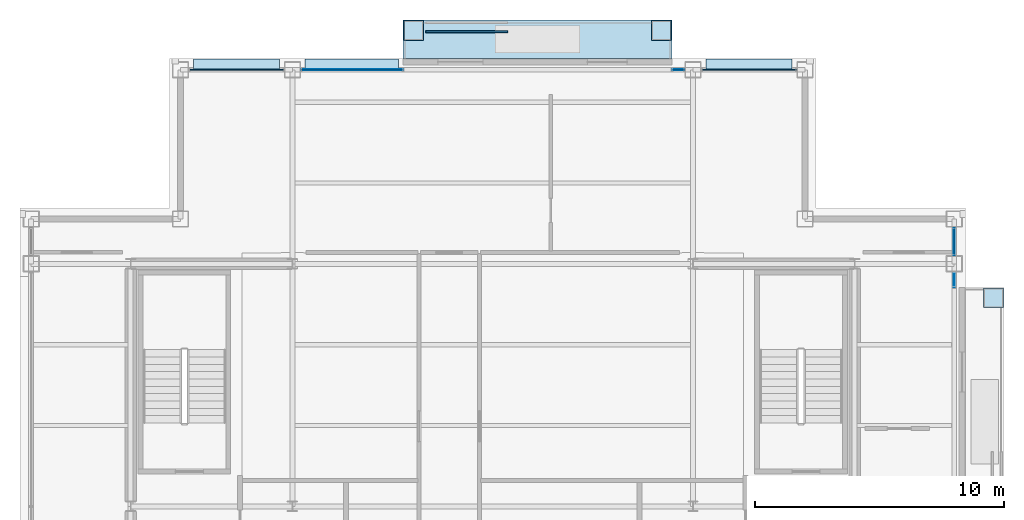
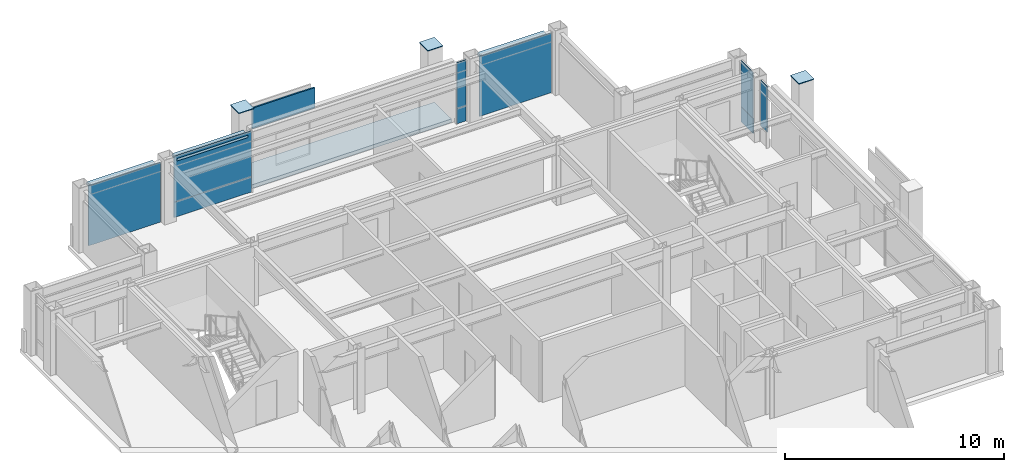
# One storey, part 18 of 24: 16 plates, 1 slab, 6 elements without a shape of their own.
"""IFC4 building model written with IfcOpenShell, lengths in metres."""

import ifcopenshell
import ifcopenshell.guid

model = None  # the IFC model being written
_history = None  # IfcOwnerHistory: only IFC2X3 demands one
_inside = {}  # id of a spatial element -> (the spatial element, [elements in it])
_under = {}  # id of a project, library or spatial element -> (it, [spatial elements below it])
_declared = {}  # id of a project -> (the project, [libraries it declares])
_typed = {}  # id of a type object -> (the type object, [elements of that type])
_made_of = {}  # id of a material, layer set ... -> (it, [elements and type objects made of it])


def new_model(schema):
    """Start an empty IFC model of exactly this schema.

    Asked for "IFC4X3", IfcOpenShell would pick the latest addendum, in which some entities
    have other attributes; the version numbers below select the first issue.
    IFC2X3 requires an IfcOwnerHistory on every rooted entity: one is made here for all.
    """
    global model, _history
    if schema == "IFC4X3":
        model = ifcopenshell.file(schema_version=(4, 3, 0, 0))
    else:
        model = ifcopenshell.file(schema=schema)
    _inside.clear()
    _under.clear()
    _declared.clear()
    _typed.clear()
    _made_of.clear()
    _history = None
    if model.schema == "IFC2X3":
        org = make("IfcOrganization", Name="unknown")
        user = make(
            "IfcPersonAndOrganization",
            ThePerson=make("IfcPerson", FamilyName="unknown"),
            TheOrganization=org,
        )
        app = make(
            "IfcApplication",
            ApplicationDeveloper=org,
            Version="unknown",
            ApplicationFullName="unknown",
            ApplicationIdentifier="unknown",
        )
        _history = make(
            "IfcOwnerHistory",
            OwningUser=user,
            OwningApplication=app,
            ChangeAction="ADDED",
            CreationDate=0,
        )
    return model


def make(cls, **values):
    """One entity of the class cls with the attributes given. An attribute that is None is left unset."""
    return model.create_entity(
        cls, **{name: value for name, value in values.items() if value is not None}
    )


def rooted(cls, **values):
    """An entity with a GlobalId (a new one), such as an element, a storey or a relation."""
    return make(cls, GlobalId=ifcopenshell.guid.new(), OwnerHistory=_history, **values)


def si_unit(unit_type, name, prefix=None):
    """IfcSIUnit, for example si_unit("LENGTHUNIT", "METRE", prefix="MILLI")."""
    return make("IfcSIUnit", UnitType=unit_type, Prefix=prefix, Name=name)


def assignment(units):
    """IfcUnitAssignment: the units of a project."""
    return None if units is None else make("IfcUnitAssignment", Units=units)


def point(xyz):
    """IfcCartesianPoint."""
    return None if xyz is None else make("IfcCartesianPoint", Coordinates=xyz)


def direction(xyz):
    """IfcDirection."""
    return None if xyz is None else make("IfcDirection", DirectionRatios=xyz)


def frame(location, z_axis=None, x_axis=None):
    """IfcAxis2Placement3D, a coordinate frame: its origin and axes. An axis left out is left unset."""
    return make(
        "IfcAxis2Placement3D",
        Location=point(location),
        Axis=direction(z_axis),
        RefDirection=direction(x_axis),
    )


def frame_2d(location, x_axis=None):
    """IfcAxis2Placement2D, a coordinate frame in the plane: its origin and x axis."""
    return make(
        "IfcAxis2Placement2D", Location=point(location), RefDirection=direction(x_axis)
    )


def origin():
    """The frame at (0, 0, 0) with its axes left unset."""
    return frame((0.0, 0.0, 0.0))


def origin_2d():
    """The frame at (0, 0) in the plane with its x axis left unset."""
    return frame_2d((0.0, 0.0))


def place(relative_to, where):
    """IfcLocalPlacement: puts the frame where relative to a parent placement (None: the world)."""
    return make(
        "IfcLocalPlacement", PlacementRelTo=relative_to, RelativePlacement=where
    )


def context(
    kind, dimensions, precision=None, world=None, true_north=None, identifier=None
):
    """IfcGeometricRepresentationContext, for example the 3D "Model" context."""
    return make(
        "IfcGeometricRepresentationContext",
        ContextIdentifier=identifier,
        ContextType=kind,
        CoordinateSpaceDimension=dimensions,
        Precision=precision,
        WorldCoordinateSystem=world,
        TrueNorth=true_north,
    )


def subcontext(parent, identifier, kind, view, scale=None):
    """IfcGeometricRepresentationSubContext, for example "Body" below "Model"."""
    return make(
        "IfcGeometricRepresentationSubContext",
        ContextIdentifier=identifier,
        ContextType=kind,
        ParentContext=parent,
        TargetScale=scale,
        TargetView=view,
    )


def project(units=None, contexts=None):
    """IfcProject with its units and contexts."""
    return rooted(
        "IfcProject",
        Name="project",
        RepresentationContexts=contexts,
        UnitsInContext=assignment(units),
    )


def spatial(cls, under=None, at=None, **own):
    """A site, building, storey or space (cls), placed at a placement, below another one or the project."""
    s = rooted(cls, ObjectPlacement=at, **own)
    if under is not None:
        _under.setdefault(under.id(), (under, []))[1].append(s)
    return s


def polyline(points):
    """IfcPolyline through the points."""
    return make("IfcPolyline", Points=[point(p) for p in points])


def profile(cls, at=None, kind="AREA", **sizes):
    """A parametric profile (cls). Its sizes go by their IFC names, for example OverallWidth=200.0."""
    return make(cls, ProfileType=kind, Position=at, **sizes)


def rectangle(**sizes):
    """IfcRectangleProfileDef."""
    return profile("IfcRectangleProfileDef", **sizes)


def outline(outer, holes=None, kind="AREA"):
    """IfcArbitraryClosedProfileDef: a profile drawn as a closed curve; with holes, ...WithVoids."""
    if holes is None:
        return make("IfcArbitraryClosedProfileDef", ProfileType=kind, OuterCurve=outer)
    return make(
        "IfcArbitraryProfileDefWithVoids",
        ProfileType=kind,
        OuterCurve=outer,
        InnerCurves=holes,
    )


def extrude(swept, where, along, depth):
    """IfcExtrudedAreaSolid: the profile swept, set in the frame where, extruded along a direction by depth."""
    return make(
        "IfcExtrudedAreaSolid",
        SweptArea=swept,
        Position=where,
        ExtrudedDirection=direction(along),
        Depth=depth,
    )


def shape(context_of_items, identifier, shape_type, items):
    """IfcShapeRepresentation: the items that make up one representation, for example the "Body"."""
    return make(
        "IfcShapeRepresentation",
        ContextOfItems=context_of_items,
        RepresentationIdentifier=identifier,
        RepresentationType=shape_type,
        Items=items,
    )


def material(Name=None, Category=None):
    """IfcMaterial."""
    return make("IfcMaterial", Name=Name, Category=Category)


def layer(
    of_material, thickness, ventilated=None, Name=None, Category=None, Priority=None
):
    """IfcMaterialLayer: one layer of a wall or slab, of a material (None: an air gap)."""
    return make(
        "IfcMaterialLayer",
        Material=of_material,
        LayerThickness=thickness,
        IsVentilated=ventilated,
        Name=Name,
        Category=Category,
        Priority=Priority,
    )


def layer_set(layers, Name=None):
    """IfcMaterialLayerSet."""
    return make("IfcMaterialLayerSet", MaterialLayers=layers, LayerSetName=Name)


def made_of(thing, what):
    """Note that an element or type object is made of a material, layer set ...; save() writes the relation."""
    if what is not None:
        _made_of.setdefault(what.id(), (what, []))[1].append(thing)
    return thing


def type_object(cls, material=None, **own):
    """A type object (cls), such as IfcWallType, which elements share."""
    return made_of(rooted(cls, **own), material)


def element(
    cls,
    number,
    at=None,
    inside=None,
    cuts=None,
    type_object=None,
    material=None,
    context=None,
    identifier="Body",
    shape_type=None,
    held_by="IfcProductDefinitionShape",
    body=None,
    shapes=None,
    **own,
):
    """One element of the class cls, such as IfcWall. Its Tag is "e" and its number.

    at: its placement. inside: the storey or other place that contains it. cuts: it is an
    opening in that element (IfcRelVoidsElement). A single representation is given by context,
    identifier, shape_type and body (its items); several are given by shapes. held_by: the class
    of the entity that holds the representations. save() writes the other relations.
    """
    e = rooted(cls, Tag="e%d" % number, ObjectPlacement=at, **own)
    if body is not None:
        shapes = [shape(context, identifier, shape_type, body)]
    if shapes is not None:
        e.Representation = make(held_by, Representations=shapes)
    if inside is not None:
        _inside.setdefault(inside.id(), (inside, []))[1].append(e)
    if cuts is not None:
        rooted(
            "IfcRelVoidsElement", RelatingBuildingElement=cuts, RelatedOpeningElement=e
        )
    if type_object is not None:
        _typed.setdefault(type_object.id(), (type_object, []))[1].append(e)
    return made_of(e, material)


def aggregate(whole, parts):
    """IfcRelAggregates: a whole, such as a stair, and the parts it consists of."""
    return rooted("IfcRelAggregates", RelatingObject=whole, RelatedObjects=parts)


def save(model, path):
    """Write the relations noted so far, then the file.

    IfcRelAggregates (storeys below a building ...), IfcRelContainedInSpatialStructure (elements
    in a storey), IfcRelDefinesByType, IfcRelAssociatesMaterial and IfcRelDeclares: one each for
    every whole, place, type object, material and project.
    """
    for whole, parts in _under.values():
        aggregate(whole, parts)
    for where, things in _inside.values():
        rooted(
            "IfcRelContainedInSpatialStructure",
            RelatedElements=things,
            RelatingStructure=where,
        )
    for kind, things in _typed.values():
        rooted("IfcRelDefinesByType", RelatedObjects=things, RelatingType=kind)
    for what, things in _made_of.values():
        rooted("IfcRelAssociatesMaterial", RelatedObjects=things, RelatingMaterial=what)
    for by, libraries in _declared.values():
        rooted("IfcRelDeclares", RelatingContext=by, RelatedDefinitions=libraries)
    model.write(path)


model = new_model("IFC4")

# Units and contexts
model_context = context("Model", 3, precision=1e-05, world=origin(), true_north=direction((0.0, 1.0)))
body_context = subcontext(model_context, "Body", "Model", "MODEL_VIEW")
ifc_project = project(units=[si_unit("LENGTHUNIT", "METRE"), si_unit("AREAUNIT", "SQUARE_METRE"), si_unit("VOLUMEUNIT", "CUBIC_METRE"), si_unit("PLANEANGLEUNIT", "RADIAN"), si_unit("MASSUNIT", "GRAM", prefix="KILO")], contexts=[model_context])

# Site, building, storey
site_placement = place(None, origin())
site = spatial("IfcSite", under=ifc_project, at=site_placement, CompositionType="ELEMENT")
building_placement = place(site_placement, origin())
building = spatial("IfcBuilding", under=site, at=building_placement, Name="Brelmoor Portico Tower", CompositionType="ELEMENT")
storey_placement = place(building_placement, frame((0.0, 0.0, 232.800048828125)))
storey = spatial("IfcBuildingStorey", under=building, at=storey_placement, Name="L61", CompositionType="ELEMENT", Elevation=232.800048828125)

# Plates
ifc_material_1 = material(Name="Steel Q355B", Category="steel")
ifc_layer_1 = layer(ifc_material_1, 0.044921875)
ifc_layer_set_1 = layer_set([ifc_layer_1], Name="Steel Q355B")
plate_type_1 = type_object("IfcPlateType", Name="PT-CAP-650", PredefinedType="SHEET", material=ifc_layer_set_1)
for number, where, z_axis, x_axis, name in (
    (1, (-3.179931640625, 19.1298828125, 3.599853515625), (0.0, 0.0, 1.0), (1.0, 0.0, 0.0), "L61 Proud Picture-Frame Pier PFJ-N1 Welded Head Cap Plate"),
    (2, (6.780029296875, 19.1298828125, 3.599853515625), (0.0, 0.0, 1.0), (1.0, 0.0, 0.0), "L61 Proud Picture-Frame Pier PFJ-N2 Welded Head Cap Plate"),
    (3, (20.1298828125, 8.3798828125, 3.599853515625), (0.0, 0.0, 1.0), (0.0, 1.0, 0.0), "L61 Proud Picture-Frame Pier PFJ-E2 Welded Head Cap Plate"),
):
    element("IfcPlate", number, at=place(storey_placement, frame(where, z_axis=z_axis, x_axis=x_axis)), inside=storey, type_object=plate_type_1, Name=name, PredefinedType="SHEET", context=body_context, shape_type="SweptSolid", body=[
        extrude(rectangle(XDim=0.7900390625, YDim=0.7900390625, at=origin_2d()), origin(), (0.0, 0.0, 1.0), 0.0400390625),
    ])

# Curtain wall, plate
ifc_material_2 = material(Name="Anodised Aluminium Alloy 6063-T6", Category="aluminium")
ifc_layer_2 = layer(ifc_material_2, 0.179931640625)
ifc_layer_set_2 = layer_set([ifc_layer_2], Name="Anodised Aluminium Alloy 6063-T6")
curtain_wall_type_1 = type_object("IfcCurtainWallType", Name="CW-TOWER-Z4", PredefinedType="NOTDEFINED", material=ifc_layer_set_2)
curtain_wall_1_placement = place(storey_placement, origin())
curtain_wall_1 = element("IfcCurtainWall", 4, at=curtain_wall_1_placement, inside=storey, type_object=curtain_wall_type_1, Name="L61 Curtain Wall CW-L61-2L-2", PredefinedType="NOTDEFINED")
ifc_material_3 = material(Name="Double-Silver Low-E Insulated Glazing", Category="glass")
ifc_layer_3 = layer(ifc_material_3, 0.035888671875)
ifc_layer_set_3 = layer_set([ifc_layer_3], Name="Double-Silver Low-E Insulated Glazing")
plate_type_2 = type_object("IfcPlateType", Name="PT-CW-GLASS", PredefinedType="CURTAIN_PANEL", material=ifc_layer_set_3)
plate_1_placement = place(storey_placement, frame((-5.657470703125, 17.550048828125, 0.85009765625), z_axis=(0.0, 0.0, 1.0), x_axis=(1.0, 0.0, 0.0)))
plate_1 = element("IfcPlate", 5, at=plate_1_placement, type_object=plate_type_2, Name="CW-L61-2L-2 Vision Glass Panel 00", PredefinedType="CURTAIN_PANEL", context=body_context, shape_type="SweptSolid", body=[
    extrude(rectangle(XDim=4.0849609375, YDim=0.035888671875, at=origin_2d()), origin(), (0.0, 0.0, 1.0), 2.550048828125),
])

curtain_wall_2_placement = place(storey_placement, origin())
curtain_wall_2 = element("IfcCurtainWall", 6, at=curtain_wall_2_placement, inside=storey, type_object=curtain_wall_type_1, Name="L61 Curtain Wall CW-L61-2R-1", PredefinedType="NOTDEFINED")
plate_2_placement = place(storey_placement, frame((7.45751953125, 17.550048828125, 0.85009765625), z_axis=(0.0, 0.0, 1.0), x_axis=(1.0, 0.0, 0.0)))
plate_2 = element("IfcPlate", 7, at=plate_2_placement, type_object=plate_type_2, Name="CW-L61-2R-1 Vision Glass Panel 00", PredefinedType="CURTAIN_PANEL", context=body_context, shape_type="SweptSolid", body=[
    extrude(rectangle(XDim=0.485107421875, YDim=0.035888671875, at=origin_2d()), origin(), (0.0, 0.0, 1.0), 2.550048828125),
])

curtain_wall_3_placement = place(storey_placement, origin())
curtain_wall_3 = element("IfcCurtainWall", 8, at=curtain_wall_3_placement, inside=storey, type_object=curtain_wall_type_1, Name="L61 Curtain Wall CW-L61-4R-1", PredefinedType="NOTDEFINED")
plate_3_placement = place(storey_placement, frame((18.550048828125, 9.107421875, 0.85009765625), z_axis=(0.0, 0.0, 1.0), x_axis=(0.0, 1.0, 0.0)))
plate_3 = element("IfcPlate", 9, at=plate_3_placement, type_object=plate_type_2, Name="CW-L61-4R-1 Vision Glass Panel 00", PredefinedType="CURTAIN_PANEL", context=body_context, shape_type="SweptSolid", body=[
    extrude(rectangle(XDim=0.5849609375, YDim=0.035888671875, at=origin_2d()), origin(), (0.0, 0.0, 1.0), 2.550048828125),
])
aggregate(curtain_wall_3, [plate_3])

curtain_wall_4_placement = place(storey_placement, origin())
curtain_wall_4 = element("IfcCurtainWall", 10, at=curtain_wall_4_placement, inside=storey, type_object=curtain_wall_type_1, Name="L61 Curtain Wall CW-L61-4R-2", PredefinedType="NOTDEFINED")
plate_4_placement = place(storey_placement, frame((18.550048828125, 10.64990234375, 0.85009765625), z_axis=(0.0, 0.0, 1.0), x_axis=(0.0, 1.0, 0.0)))
plate_4 = element("IfcPlate", 11, at=plate_4_placement, type_object=plate_type_2, Name="CW-L61-4R-2 Vision Glass Panel 00", PredefinedType="CURTAIN_PANEL", context=body_context, shape_type="SweptSolid", body=[
    extrude(rectangle(XDim=1.10009765625, YDim=0.035888671875, at=origin_2d()), origin(), (0.0, 0.0, 1.0), 2.550048828125),
])

ifc_layer_4 = layer(ifc_material_2, 0.179931640625)
ifc_layer_set_4 = layer_set([ifc_layer_4], Name="Anodised Aluminium Alloy 6063-T6")
curtain_wall_type_2 = type_object("IfcCurtainWallType", Name="CW-TOWER-Z4-XB", PredefinedType="NOTDEFINED", material=ifc_layer_set_4)
curtain_wall_5_placement = place(storey_placement, origin())
curtain_wall_5 = element("IfcCurtainWall", 12, at=curtain_wall_5_placement, inside=storey, type_object=curtain_wall_type_2, Name="L61 Curtain Wall CW-L61-2L-1", PredefinedType="NOTDEFINED")
ifc_material_4 = material(Name="Pale Champagne Anodised Aluminium Panel", Category="aluminium")
ifc_layer_5 = layer(ifc_material_4, 0.050048828125)
ifc_layer_set_5 = layer_set([ifc_layer_5], Name="Pale Champagne Anodised Aluminium Panel")
plate_type_3 = type_object("IfcPlateType", Name="PT-CW-SPANDREL", PredefinedType="SHEET", material=ifc_layer_set_5)
plate_5_placement = place(storey_placement, frame((-10.300048828125, 17.550048828125, 0.0), z_axis=(0.0, 0.0, 1.0), x_axis=(1.0, 0.0, 0.0)))
plate_5 = element("IfcPlate", 13, at=plate_5_placement, type_object=plate_type_3, Name="CW-L61-2L-1 Spandrel Panel 00", PredefinedType="SHEET", context=body_context, shape_type="SweptSolid", body=[
    extrude(rectangle(XDim=3.800048828125, YDim=0.050048828125, at=origin_2d()), origin(), (0.0, 0.0, 1.0), 3.33740234375),
])
aggregate(curtain_wall_5, [plate_5])

# Plate
plate_6_placement = place(storey_placement, frame((-5.657470703125, 17.550048828125, 0.0), z_axis=(0.0, 0.0, 1.0), x_axis=(1.0, 0.0, 0.0)))
plate_6 = element("IfcPlate", 14, at=plate_6_placement, type_object=plate_type_3, Name="CW-L61-2L-2 Spandrel Panel 00", PredefinedType="SHEET", context=body_context, shape_type="SweptSolid", body=[
    extrude(rectangle(XDim=4.0849609375, YDim=0.050048828125, at=origin_2d()), origin(), (0.0, 0.0, 1.0), 0.85009765625),
])

aggregate(curtain_wall_1, [plate_6, plate_1])

plate_7_placement = place(storey_placement, frame((7.45751953125, 17.550048828125, 0.0), z_axis=(0.0, 0.0, 1.0), x_axis=(1.0, 0.0, 0.0)))
plate_7 = element("IfcPlate", 15, at=plate_7_placement, type_object=plate_type_3, Name="CW-L61-2R-1 Spandrel Panel 00", PredefinedType="SHEET", context=body_context, shape_type="SweptSolid", body=[
    extrude(rectangle(XDim=0.485107421875, YDim=0.050048828125, at=origin_2d()), origin(), (0.0, 0.0, 1.0), 0.85009765625),
])

aggregate(curtain_wall_2, [plate_7, plate_2])

# Curtain wall, plate
curtain_wall_6_placement = place(storey_placement, origin())
curtain_wall_6 = element("IfcCurtainWall", 16, at=curtain_wall_6_placement, inside=storey, type_object=curtain_wall_type_2, Name="L61 Curtain Wall CW-L61-2R-2", PredefinedType="NOTDEFINED")
plate_8_placement = place(storey_placement, frame((10.300048828125, 17.550048828125, 0.0), z_axis=(0.0, 0.0, 1.0), x_axis=(1.0, 0.0, 0.0)))
plate_8 = element("IfcPlate", 17, at=plate_8_placement, type_object=plate_type_3, Name="CW-L61-2R-2 Spandrel Panel 00", PredefinedType="SHEET", context=body_context, shape_type="SweptSolid", body=[
    extrude(rectangle(XDim=3.800048828125, YDim=0.050048828125, at=origin_2d()), origin(), (0.0, 0.0, 1.0), 3.33740234375),
])
aggregate(curtain_wall_6, [plate_8])

# Plate
plate_9_placement = place(storey_placement, frame((18.550048828125, 10.64990234375, 0.0), z_axis=(0.0, 0.0, 1.0), x_axis=(0.0, 1.0, 0.0)))
plate_9 = element("IfcPlate", 18, at=plate_9_placement, type_object=plate_type_3, Name="CW-L61-4R-2 Spandrel Panel 00", PredefinedType="SHEET", context=body_context, shape_type="SweptSolid", body=[
    extrude(rectangle(XDim=1.10009765625, YDim=0.050048828125, at=origin_2d()), origin(), (0.0, 0.0, 1.0), 0.85009765625),
])

aggregate(curtain_wall_4, [plate_9, plate_4])

# Plates
ifc_material_5 = material(Name="Powder-Coated Aluminium Shuttered Jalousie Louvre", Category="aluminium")
ifc_layer_6 = layer(ifc_material_5, 0.06005859375)
ifc_layer_set_6 = layer_set([ifc_layer_6], Name="Powder-Coated Aluminium Shuttered Jalousie Louvre")
plate_type_4 = type_object("IfcPlateType", Name="PT-JALOUSIE-SHUTTER", PredefinedType="SHEET", material=ifc_layer_set_6)
plate_10_placement = place(storey_placement, frame((-1.050048828125, 19.080078125, 2.27490234375), z_axis=(0.0, 0.0, 1.0), x_axis=(1.0, 0.0, 0.0)))
element("IfcPlate", 19, at=plate_10_placement, inside=storey, type_object=plate_type_4, Name="L61 Shuttered Veranda Screen N", PredefinedType="SHEET", context=body_context, shape_type="SweptSolid", body=[
    extrude(rectangle(XDim=3.300048828125, YDim=0.080078125, at=origin_2d()), origin(), (0.0, 0.0, 1.0), 1.14990234375),
])
ifc_material_6 = material(Name="Pale Champagne Perforated Aluminium Solar Screen", Category="aluminium")
ifc_layer_7 = layer(ifc_material_6, 0.054931640625)
ifc_layer_set_7 = layer_set([ifc_layer_7], Name="Pale Champagne Perforated Aluminium Solar Screen")
plate_type_5 = type_object("IfcPlateType", Name="PT-SOLAR-LOUVRE", PredefinedType="SHEET", material=ifc_layer_set_7)
plate_11_placement = place(storey_placement, frame((-10.300048828125, 17.760009765625, 3.08984375), z_axis=(0.0, 0.0, 1.0), x_axis=(1.0, 0.0, 0.0)))
element("IfcPlate", 20, at=plate_11_placement, inside=storey, type_object=plate_type_5, Name="CW-L61-2L-1 Caribbean Brise-Soleil Solar Screen", PredefinedType="SHEET", context=body_context, shape_type="SweptSolid", body=[
    extrude(rectangle(XDim=3.469970703125, YDim=0.4599609375, at=origin_2d()), origin(), (0.0, 0.0, 1.0), 0.139892578125),
])
plate_12_placement = place(storey_placement, frame((-5.657470703125, 17.760009765625, 3.08984375), z_axis=(0.0, 0.0, 1.0), x_axis=(1.0, 0.0, 0.0)))
element("IfcPlate", 21, at=plate_12_placement, inside=storey, type_object=plate_type_5, Name="CW-L61-2L-2 Caribbean Brise-Soleil Solar Screen", PredefinedType="SHEET", context=body_context, shape_type="SweptSolid", body=[
    extrude(rectangle(XDim=3.7548828125, YDim=0.4599609375, at=origin_2d()), origin(), (0.0, 0.0, 1.0), 0.139892578125),
])
plate_13_placement = place(storey_placement, frame((10.300048828125, 17.760009765625, 3.08984375), z_axis=(0.0, 0.0, 1.0), x_axis=(1.0, 0.0, 0.0)))
element("IfcPlate", 22, at=plate_13_placement, inside=storey, type_object=plate_type_5, Name="CW-L61-2R-2 Caribbean Brise-Soleil Solar Screen", PredefinedType="SHEET", context=body_context, shape_type="SweptSolid", body=[
    extrude(rectangle(XDim=3.469970703125, YDim=0.4599609375, at=origin_2d()), origin(), (0.0, 0.0, 1.0), 0.139892578125),
])

# Slab
ifc_material_7 = material(Name="Concrete C40", Category="concrete")
ifc_layer_8 = layer(ifc_material_7, 0.199951171875)
ifc_layer_set_8 = layer_set([ifc_layer_8], Name="Concrete C40")
slab_type = type_object("IfcSlabType", Name="SL-BALCONY-200", PredefinedType="FLOOR", material=ifc_layer_set_8)
slab_placement = place(storey_placement, frame((0.0, 0.0, -0.199951171875)))
element("IfcSlab", 23, at=slab_placement, inside=storey, type_object=slab_type, Name="L61 Loggia Tree Balcony Slab N", PredefinedType="FLOOR", context=body_context, shape_type="SweptSolid", body=[
    extrude(outline(polyline([(-3.60009765625, 18.0), (7.199951171875, 18.0), (7.199951171875, 19.550048828125), (-3.60009765625, 19.550048828125), (-3.60009765625, 18.0)])), origin(), (0.0, 0.0, 1.0), 0.199951171875),
])

save(model, "model.ifc")
